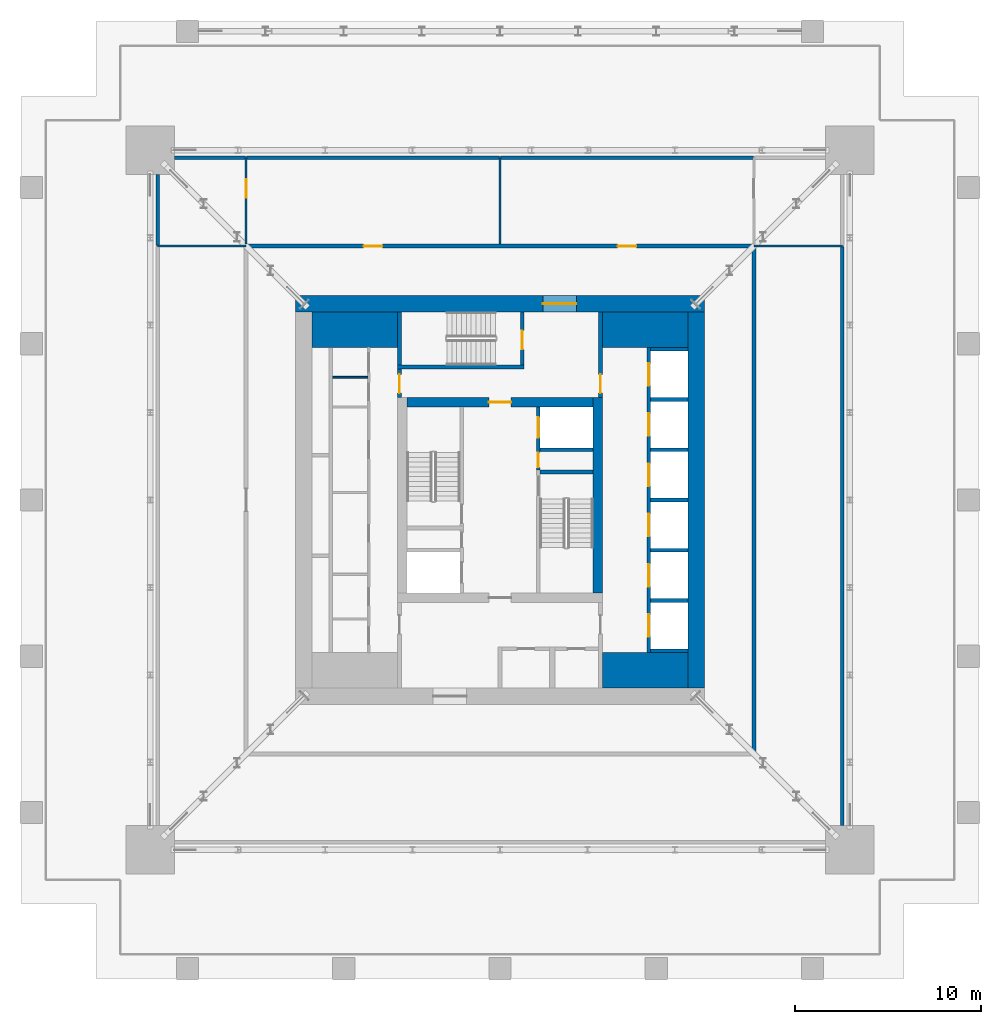
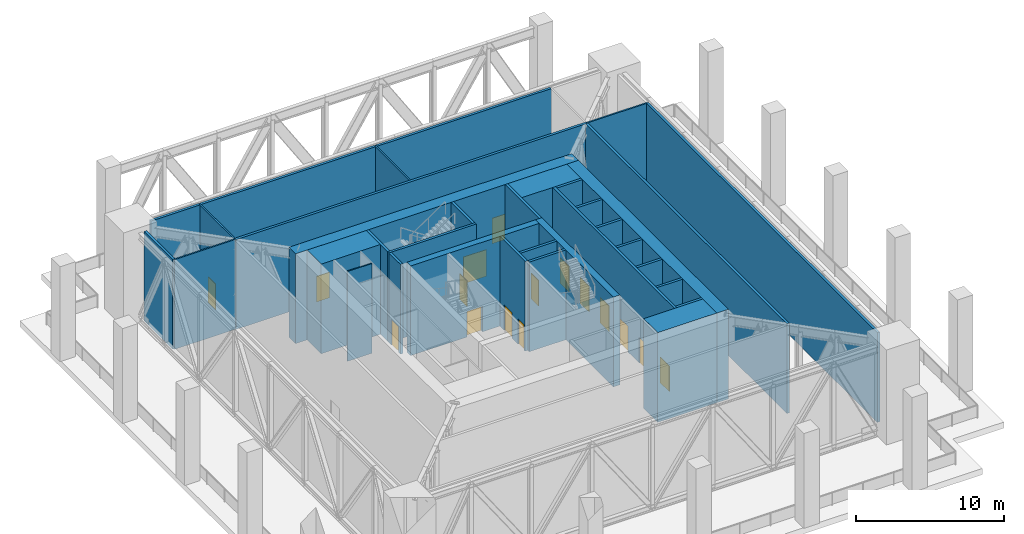
# One storey, part 11 of 17: 35 walls, 16 doors, 16 openings.
"""IFC4 building model written with IfcOpenShell, lengths in metres."""

from ifc_helpers import new_model, si_unit, direction, frame, frame_2d, origin, place, context, subcontext, project, spatial, rectangle, extrude, material, layer, layer_set, type_object, element, fill, save


model = new_model("IFC4")

# Units and contexts
model_context = context("Model", 3, precision=1e-05, world=origin(), true_north=direction((0.0, 1.0)))
body_context = subcontext(model_context, "Body", "Model", "MODEL_VIEW")
ifc_project = project(units=[si_unit("LENGTHUNIT", "METRE"), si_unit("AREAUNIT", "SQUARE_METRE"), si_unit("VOLUMEUNIT", "CUBIC_METRE"), si_unit("PLANEANGLEUNIT", "RADIAN"), si_unit("MASSUNIT", "GRAM", prefix="KILO")], contexts=[model_context])

# Site, building, storey
site_placement = place(None, origin())
site = spatial("IfcSite", under=ifc_project, at=site_placement, CompositionType="ELEMENT")
building_placement = place(site_placement, origin())
building = spatial("IfcBuilding", under=site, at=building_placement, Name="Khepri Terraces", CompositionType="ELEMENT")
storey_placement = place(building_placement, frame((0.0, 0.0, 180.60009765625)))
storey = spatial("IfcBuildingStorey", under=building, at=storey_placement, Name="L43", CompositionType="ELEMENT", Elevation=180.60009765625)

# Walls
ifc_material_1 = material(Name="Concrete C60/75", Category="concrete")
ifc_layer_1 = layer(ifc_material_1, 1.89990234375, Name="Concrete C60/75", Category="concrete")
ifc_layer_set_1 = layer_set([ifc_layer_1], Name="Concrete C60/75")
wall_type_1 = type_object("IfcWallType", Name="Core wall 1900 C60/75", PredefinedType="SHEAR", material=ifc_layer_set_1)
for number, where, z_axis, x_axis, name in (
    (1, (5.5, -9.14990234375, 0.0), (0.0, 0.0, 1.0), (1.0, 0.0, 0.0), "Core wall PR02 L43"),
    (2, (-10.10009765625, 9.14990234375, 0.0), (0.0, 0.0, 1.0), (1.0, 0.0, 0.0), "Core wall PR03 L43"),
    (3, (5.5, 9.14990234375, 0.0), (0.0, 0.0, 1.0), (1.0, 0.0, 0.0), "Core wall PR04 L43"),
):
    element("IfcWall", number, at=place(storey_placement, frame(where, z_axis=z_axis, x_axis=x_axis)), inside=storey, type_object=wall_type_1, Name=name, PredefinedType="SHEAR", context=body_context, shape_type="SweptSolid", body=[
        extrude(rectangle(XDim=4.60009765625, YDim=1.89990234375, at=frame_2d((2.300048828125, 0.0))), origin(), (0.0, 0.0, 1.0), 7.3798828125),
    ])
ifc_layer_2 = layer(ifc_material_1, 0.199951171875, Name="Concrete C60/75", Category="concrete")
ifc_layer_set_2 = layer_set([ifc_layer_2], Name="Concrete C60/75")
wall_type_2 = type_object("IfcWallType", Name="Core wall 200 C60/75", PredefinedType="SHEAR", material=ifc_layer_set_2)
wall_1_placement = place(storey_placement, frame((2.14990234375, 1.5, 0.0), z_axis=(0.0, 0.0, 1.0), x_axis=(1.0, 0.0, 0.0)))
element("IfcWall", 4, at=wall_1_placement, inside=storey, type_object=wall_type_2, Name="Core wall ST04 L43", PredefinedType="SHEAR", context=body_context, shape_type="SweptSolid", body=[
    extrude(rectangle(XDim=2.85009765625, YDim=0.199951171875, at=frame_2d((1.425048828125, 0.0))), origin(), (0.0, 0.0, 1.0), 7.3798828125),
])
wall_2_placement = place(storey_placement, frame((-5.5, 7.14990234375, 0.0), z_axis=(0.0, 0.0, 1.0), x_axis=(1.0, 0.0, 0.0)))
element("IfcWall", 5, at=wall_2_placement, inside=storey, type_object=wall_type_2, Name="Core wall ST05 L43", PredefinedType="SHEAR", context=body_context, shape_type="SweptSolid", body=[
    extrude(rectangle(XDim=6.800048828125, YDim=0.199951171875, at=frame_2d((3.39990234375, 0.0))), origin(), (0.0, 0.0, 1.0), 7.3798828125),
])
wall_3_placement = place(storey_placement, frame((-5.39990234375, 7.25, 0.0), z_axis=(0.0, 0.0, 1.0), x_axis=(0.0, 1.0, 0.0)))
element("IfcWall", 6, at=wall_3_placement, inside=storey, type_object=wall_type_2, Name="Core wall ST06 L43", PredefinedType="SHEAR", context=body_context, shape_type="SweptSolid", body=[
    extrude(rectangle(XDim=2.85009765625, YDim=0.199951171875, at=frame_2d((1.425048828125, 0.0))), origin(), (0.0, 0.0, 1.0), 7.3798828125),
])

# Wall, opening, door
wall_4_placement = place(storey_placement, frame((1.199951171875, 7.25, 0.0), z_axis=(0.0, 0.0, 1.0), x_axis=(0.0, 1.0, 0.0)))
wall_4 = element("IfcWall", 7, at=wall_4_placement, inside=storey, type_object=wall_type_2, Name="Core wall ST07 L43", PredefinedType="SHEAR", context=body_context, shape_type="SweptSolid", body=[
    extrude(rectangle(XDim=2.85009765625, YDim=0.199951171875, at=frame_2d((1.425048828125, 0.0))), origin(), (0.0, 0.0, 1.0), 7.3798828125),
])
opening_1_placement = place(wall_4_placement, frame((0.85009765625, 0.0, 0.0)))
opening_1 = element("IfcOpeningElement", 8, at=opening_1_placement, cuts=wall_4, Name="Opening L43-C15", PredefinedType="OPENING", context=body_context, shape_type="SweptSolid", body=[
    extrude(rectangle(XDim=1.0, YDim=2.10009765625, at=frame_2d((0.5, 1.050048828125))), frame((0.0, 0.10986328125, 0.0), z_axis=(0.0, -1.0, 0.0), x_axis=(1.0, 0.0, 0.0)), (0.0, 0.0, 1.0), 0.219970703125),
])
ifc_material_2 = material(Name="Painted steel", Category="steel")
door_type_1 = type_object("IfcDoorType", Name="DR-CORE-STAIR-1000", OperationType="NOTDEFINED", PredefinedType="DOOR", material=ifc_material_2)
door_1_placement = place(opening_1_placement, origin())
door_1 = element("IfcDoor", 9, at=door_1_placement, inside=storey, type_object=door_type_1, Name="Stair door L43-C15", OperationType="SINGLE_SWING_LEFT", OverallHeight=2.10009765625, OverallWidth=1.0, PredefinedType="DOOR", context=body_context, shape_type="SweptSolid", body=[
    extrude(rectangle(XDim=1.0, YDim=2.10009765625, at=frame_2d((0.5, 1.050048828125))), frame((0.0, 0.02490234375, 0.0), z_axis=(0.0, -1.0, 0.0), x_axis=(1.0, 0.0, 0.0)), (0.0, 0.0, 1.0), 0.050048828125),
])
fill(opening_1, door_1)

# Wall, openings, doors
wall_5_placement = place(storey_placement, frame((8.0, -8.199951171875, 0.0), z_axis=(0.0, 0.0, 1.0), x_axis=(0.0, 1.0, 0.0)))
wall_5 = element("IfcWall", 10, at=wall_5_placement, inside=storey, type_object=wall_type_2, Name="Core wall SH02 L43", PredefinedType="SHEAR", context=body_context, shape_type="SweptSolid", body=[
    extrude(rectangle(XDim=16.39990234375, YDim=0.199951171875, at=frame_2d((8.199951171875, 0.0))), origin(), (0.0, 0.0, 1.0), 7.3798828125),
])
opening_2_placement = place(wall_5_placement, frame((0.85009765625, 0.0, 0.0)))
opening_2 = element("IfcOpeningElement", 11, at=opening_2_placement, cuts=wall_5, Name="Opening L43-C01", PredefinedType="OPENING", context=body_context, shape_type="SweptSolid", body=[
    extrude(rectangle(XDim=1.199951171875, YDim=2.10009765625, at=frame_2d((0.60009765625, 1.050048828125))), frame((0.0, 0.10986328125, 0.0), z_axis=(0.0, -1.0, 0.0), x_axis=(1.0, 0.0, 0.0)), (0.0, 0.0, 1.0), 0.219970703125),
])
opening_3_placement = place(wall_5_placement, frame((3.550048828125, 0.0, 0.0)))
opening_3 = element("IfcOpeningElement", 12, at=opening_3_placement, cuts=wall_5, Name="Opening L43-C02", PredefinedType="OPENING", context=body_context, shape_type="SweptSolid", body=[
    extrude(rectangle(XDim=1.199951171875, YDim=2.10009765625, at=frame_2d((0.60009765625, 1.050048828125))), frame((0.0, 0.10986328125, 0.0), z_axis=(0.0, -1.0, 0.0), x_axis=(1.0, 0.0, 0.0)), (0.0, 0.0, 1.0), 0.219970703125),
])
opening_4_placement = place(wall_5_placement, frame((6.25, 0.0, 0.0)))
opening_4 = element("IfcOpeningElement", 13, at=opening_4_placement, cuts=wall_5, Name="Opening L43-C03", PredefinedType="OPENING", context=body_context, shape_type="SweptSolid", body=[
    extrude(rectangle(XDim=1.199951171875, YDim=2.10009765625, at=frame_2d((0.60009765625, 1.050048828125))), frame((0.0, 0.10986328125, 0.0), z_axis=(0.0, -1.0, 0.0), x_axis=(1.0, 0.0, 0.0)), (0.0, 0.0, 1.0), 0.219970703125),
])
opening_5_placement = place(wall_5_placement, frame((8.949951171875, 0.0, 0.0)))
opening_5 = element("IfcOpeningElement", 14, at=opening_5_placement, cuts=wall_5, Name="Opening L43-C04", PredefinedType="OPENING", context=body_context, shape_type="SweptSolid", body=[
    extrude(rectangle(XDim=1.199951171875, YDim=2.10009765625, at=frame_2d((0.60009765625, 1.050048828125))), frame((0.0, 0.10986328125, 0.0), z_axis=(0.0, -1.0, 0.0), x_axis=(1.0, 0.0, 0.0)), (0.0, 0.0, 1.0), 0.219970703125),
])
opening_6_placement = place(wall_5_placement, frame((11.64990234375, 0.0, 0.0)))
opening_6 = element("IfcOpeningElement", 15, at=opening_6_placement, cuts=wall_5, Name="Opening L43-C05", PredefinedType="OPENING", context=body_context, shape_type="SweptSolid", body=[
    extrude(rectangle(XDim=1.199951171875, YDim=2.10009765625, at=frame_2d((0.60009765625, 1.050048828125))), frame((0.0, 0.10986328125, 0.0), z_axis=(0.0, -1.0, 0.0), x_axis=(1.0, 0.0, 0.0)), (0.0, 0.0, 1.0), 0.219970703125),
])
opening_7_placement = place(wall_5_placement, frame((14.35009765625, 0.0, 0.0)))
opening_7 = element("IfcOpeningElement", 16, at=opening_7_placement, cuts=wall_5, Name="Opening L43-C06", PredefinedType="OPENING", context=body_context, shape_type="SweptSolid", body=[
    extrude(rectangle(XDim=1.199951171875, YDim=2.10009765625, at=frame_2d((0.60009765625, 1.050048828125))), frame((0.0, 0.10986328125, 0.0), z_axis=(0.0, -1.0, 0.0), x_axis=(1.0, 0.0, 0.0)), (0.0, 0.0, 1.0), 0.219970703125),
])
ifc_material_3 = material(Name="Stainless steel 304", Category="steel")
door_type_2 = type_object("IfcDoorType", Name="DR-CORE-LANDING-1200", OperationType="NOTDEFINED", PredefinedType="DOOR", material=ifc_material_3)
door_2_placement = place(opening_2_placement, origin())
door_2 = element("IfcDoor", 17, at=door_2_placement, inside=storey, type_object=door_type_2, Name="Lift landing door L43-C01", OperationType="SLIDING_TO_LEFT", OverallHeight=2.10009765625, OverallWidth=1.199951171875, PredefinedType="DOOR", context=body_context, shape_type="SweptSolid", body=[
    extrude(rectangle(XDim=1.199951171875, YDim=2.10009765625, at=frame_2d((0.60009765625, 1.050048828125))), frame((0.0, 0.02490234375, 0.0), z_axis=(0.0, -1.0, 0.0), x_axis=(1.0, 0.0, 0.0)), (0.0, 0.0, 1.0), 0.050048828125),
])
fill(opening_2, door_2)
door_3_placement = place(opening_3_placement, origin())
door_3 = element("IfcDoor", 18, at=door_3_placement, inside=storey, type_object=door_type_2, Name="Lift landing door L43-C02", OperationType="SLIDING_TO_LEFT", OverallHeight=2.10009765625, OverallWidth=1.199951171875, PredefinedType="DOOR", context=body_context, shape_type="SweptSolid", body=[
    extrude(rectangle(XDim=1.199951171875, YDim=2.10009765625, at=frame_2d((0.60009765625, 1.050048828125))), frame((0.0, 0.02490234375, 0.0), z_axis=(0.0, -1.0, 0.0), x_axis=(1.0, 0.0, 0.0)), (0.0, 0.0, 1.0), 0.050048828125),
])
fill(opening_3, door_3)
door_4_placement = place(opening_4_placement, origin())
door_4 = element("IfcDoor", 19, at=door_4_placement, inside=storey, type_object=door_type_2, Name="Lift landing door L43-C03", OperationType="SLIDING_TO_LEFT", OverallHeight=2.10009765625, OverallWidth=1.199951171875, PredefinedType="DOOR", context=body_context, shape_type="SweptSolid", body=[
    extrude(rectangle(XDim=1.199951171875, YDim=2.10009765625, at=frame_2d((0.60009765625, 1.050048828125))), frame((0.0, 0.02490234375, 0.0), z_axis=(0.0, -1.0, 0.0), x_axis=(1.0, 0.0, 0.0)), (0.0, 0.0, 1.0), 0.050048828125),
])
fill(opening_4, door_4)
door_5_placement = place(opening_5_placement, origin())
door_5 = element("IfcDoor", 20, at=door_5_placement, inside=storey, type_object=door_type_2, Name="Lift landing door L43-C04", OperationType="SLIDING_TO_LEFT", OverallHeight=2.10009765625, OverallWidth=1.199951171875, PredefinedType="DOOR", context=body_context, shape_type="SweptSolid", body=[
    extrude(rectangle(XDim=1.199951171875, YDim=2.10009765625, at=frame_2d((0.60009765625, 1.050048828125))), frame((0.0, 0.02490234375, 0.0), z_axis=(0.0, -1.0, 0.0), x_axis=(1.0, 0.0, 0.0)), (0.0, 0.0, 1.0), 0.050048828125),
])
fill(opening_5, door_5)
door_6_placement = place(opening_6_placement, origin())
door_6 = element("IfcDoor", 21, at=door_6_placement, inside=storey, type_object=door_type_2, Name="Lift landing door L43-C05", OperationType="SLIDING_TO_LEFT", OverallHeight=2.10009765625, OverallWidth=1.199951171875, PredefinedType="DOOR", context=body_context, shape_type="SweptSolid", body=[
    extrude(rectangle(XDim=1.199951171875, YDim=2.10009765625, at=frame_2d((0.60009765625, 1.050048828125))), frame((0.0, 0.02490234375, 0.0), z_axis=(0.0, -1.0, 0.0), x_axis=(1.0, 0.0, 0.0)), (0.0, 0.0, 1.0), 0.050048828125),
])
fill(opening_6, door_6)
door_7_placement = place(opening_7_placement, origin())
door_7 = element("IfcDoor", 22, at=door_7_placement, inside=storey, type_object=door_type_2, Name="Lift landing door L43-C06", OperationType="SLIDING_TO_LEFT", OverallHeight=2.10009765625, OverallWidth=1.199951171875, PredefinedType="DOOR", context=body_context, shape_type="SweptSolid", body=[
    extrude(rectangle(XDim=1.199951171875, YDim=2.10009765625, at=frame_2d((0.60009765625, 1.050048828125))), frame((0.0, 0.02490234375, 0.0), z_axis=(0.0, -1.0, 0.0), x_axis=(1.0, 0.0, 0.0)), (0.0, 0.0, 1.0), 0.050048828125),
])
fill(opening_7, door_7)

# Walls
for number, where, z_axis, x_axis, name in (
    (23, (8.10009765625, -8.10009765625, 0.0), (0.0, 0.0, 1.0), (1.0, 0.0, 0.0), "Core wall SH03 L43"),
    (24, (8.10009765625, -5.39990234375, 0.0), (0.0, 0.0, 1.0), (1.0, 0.0, 0.0), "Core wall SH04 L43"),
    (25, (8.10009765625, -2.699951171875, 0.0), (0.0, 0.0, 1.0), (1.0, 0.0, 0.0), "Core wall SH08 L43"),
    (26, (8.10009765625, 0.0, 0.0), (0.0, 0.0, 1.0), (1.0, 0.0, 0.0), "Core wall SH09 L43"),
):
    element("IfcWall", number, at=place(storey_placement, frame(where, z_axis=z_axis, x_axis=x_axis)), inside=storey, type_object=wall_type_2, Name=name, PredefinedType="SHEAR", context=body_context, shape_type="SweptSolid", body=[
        extrude(rectangle(XDim=2.0, YDim=0.199951171875, at=frame_2d((1.0, 0.0))), origin(), (0.0, 0.0, 1.0), 7.3798828125),
    ])

# Wall, openings, doors
wall_6_placement = place(storey_placement, frame((2.050048828125, 1.60009765625, 0.0), z_axis=(0.0, 0.0, 1.0), x_axis=(0.0, 1.0, 0.0)))
wall_6 = element("IfcWall", 27, at=wall_6_placement, inside=storey, type_object=wall_type_2, Name="Core wall SH10 L43", PredefinedType="SHEAR", context=body_context, shape_type="SweptSolid", body=[
    extrude(rectangle(XDim=3.39990234375, YDim=0.199951171875, at=frame_2d((1.699951171875, 0.0))), origin(), (0.0, 0.0, 1.0), 7.3798828125),
])
opening_8_placement = place(wall_6_placement, frame((1.75, 0.0, 0.0)))
opening_8 = element("IfcOpeningElement", 28, at=opening_8_placement, cuts=wall_6, Name="Opening L43-C07", PredefinedType="OPENING", context=body_context, shape_type="SweptSolid", body=[
    extrude(rectangle(XDim=1.10009765625, YDim=2.10009765625, at=frame_2d((0.550048828125, 1.050048828125))), frame((0.0, 0.10986328125, 0.0), z_axis=(0.0, -1.0, 0.0), x_axis=(1.0, 0.0, 0.0)), (0.0, 0.0, 1.0), 0.219970703125),
])
opening_9_placement = place(wall_6_placement, frame((0.14990234375, 0.0, 0.0)))
opening_9 = element("IfcOpeningElement", 29, at=opening_9_placement, cuts=wall_6, Name="Opening L43-C11", PredefinedType="OPENING", context=body_context, shape_type="SweptSolid", body=[
    extrude(rectangle(XDim=0.800048828125, YDim=2.10009765625, at=frame_2d((0.39990234375, 1.050048828125))), frame((0.0, 0.10986328125, 0.0), z_axis=(0.0, -1.0, 0.0), x_axis=(1.0, 0.0, 0.0)), (0.0, 0.0, 1.0), 0.219970703125),
])
door_type_3 = type_object("IfcDoorType", Name="DR-CORE-FF-LANDING-1100", OperationType="NOTDEFINED", PredefinedType="DOOR", material=ifc_material_3)
door_8_placement = place(opening_8_placement, origin())
door_8 = element("IfcDoor", 30, at=door_8_placement, inside=storey, type_object=door_type_3, Name="Firefighting lift landing door L43-C07", OperationType="SLIDING_TO_LEFT", OverallHeight=2.10009765625, OverallWidth=1.10009765625, PredefinedType="DOOR", context=body_context, shape_type="SweptSolid", body=[
    extrude(rectangle(XDim=1.10009765625, YDim=2.10009765625, at=frame_2d((0.550048828125, 1.050048828125))), frame((0.0, 0.02490234375, 0.0), z_axis=(0.0, -1.0, 0.0), x_axis=(1.0, 0.0, 0.0)), (0.0, 0.0, 1.0), 0.050048828125),
])
fill(opening_8, door_8)
door_type_4 = type_object("IfcDoorType", Name="DR-CORE-RISER-800", OperationType="NOTDEFINED", PredefinedType="DOOR", material=ifc_material_2)
door_9_placement = place(opening_9_placement, frame((0.800048828125, 0.0, 0.0), z_axis=(0.0, 0.0, 1.0), x_axis=(-1.0, 0.0, 0.0)))
door_9 = element("IfcDoor", 31, at=door_9_placement, inside=storey, type_object=door_type_4, Name="Riser door L43-C11", OperationType="SINGLE_SWING_RIGHT", OverallHeight=2.10009765625, OverallWidth=0.800048828125, PredefinedType="DOOR", context=body_context, shape_type="SweptSolid", body=[
    extrude(rectangle(XDim=0.800048828125, YDim=2.10009765625, at=frame_2d((0.39990234375, 1.050048828125))), frame((0.0, 0.02490234375, 0.0), z_axis=(0.0, -1.0, 0.0), x_axis=(1.0, 0.0, 0.0)), (0.0, 0.0, 1.0), 0.050048828125),
])
fill(opening_9, door_9)

# Walls
wall_7_placement = place(storey_placement, frame((2.14990234375, 2.699951171875, 0.0), z_axis=(0.0, 0.0, 1.0), x_axis=(1.0, 0.0, 0.0)))
element("IfcWall", 32, at=wall_7_placement, inside=storey, type_object=wall_type_2, Name="Core wall SH12 L43", PredefinedType="SHEAR", context=body_context, shape_type="SweptSolid", body=[
    extrude(rectangle(XDim=2.85009765625, YDim=0.199951171875, at=frame_2d((1.425048828125, 0.0))), origin(), (0.0, 0.0, 1.0), 7.3798828125),
])
for number, where, z_axis, x_axis, name in (
    (33, (8.10009765625, 2.699951171875, 0.0), (0.0, 0.0, 1.0), (1.0, 0.0, 0.0), "Core wall SH13 L43"),
    (34, (8.10009765625, 5.39990234375, 0.0), (0.0, 0.0, 1.0), (1.0, 0.0, 0.0), "Core wall SH14 L43"),
    (35, (8.10009765625, 8.10009765625, 0.0), (0.0, 0.0, 1.0), (1.0, 0.0, 0.0), "Core wall SH15 L43"),
):
    element("IfcWall", number, at=place(storey_placement, frame(where, z_axis=z_axis, x_axis=x_axis)), inside=storey, type_object=wall_type_2, Name=name, PredefinedType="SHEAR", context=body_context, shape_type="SweptSolid", body=[
        extrude(rectangle(XDim=2.0, YDim=0.199951171875, at=frame_2d((1.0, 0.0))), origin(), (0.0, 0.0, 1.0), 7.3798828125),
    ])
ifc_layer_3 = layer(ifc_material_1, 0.5, Name="Concrete C60/75", Category="concrete")
ifc_layer_set_3 = layer_set([ifc_layer_3], Name="Concrete C60/75")
wall_type_3 = type_object("IfcWallType", Name="Core wall 500 C60/75", PredefinedType="SHEAR", material=ifc_layer_set_3)
wall_8_placement = place(storey_placement, frame((5.25, -5.0, 0.0), z_axis=(0.0, 0.0, 1.0), x_axis=(0.0, 1.0, 0.0)))
element("IfcWall", 36, at=wall_8_placement, inside=storey, type_object=wall_type_3, Name="Core wall BX03 L43", PredefinedType="SHEAR", context=body_context, shape_type="SweptSolid", body=[
    extrude(rectangle(XDim=10.5, YDim=0.5, at=frame_2d((5.25, 0.0))), origin(), (0.0, 0.0, 1.0), 7.3798828125),
])

# Wall, opening, door
wall_9_placement = place(storey_placement, frame((-5.0, 5.25, 0.0), z_axis=(0.0, 0.0, 1.0), x_axis=(1.0, 0.0, 0.0)))
wall_9 = element("IfcWall", 37, at=wall_9_placement, inside=storey, type_object=wall_type_3, Name="Core wall BX04 L43", PredefinedType="SHEAR", context=body_context, shape_type="SweptSolid", body=[
    extrude(rectangle(XDim=10.0, YDim=0.5, at=frame_2d((5.0, 0.0))), origin(), (0.0, 0.0, 1.0), 7.3798828125),
])
opening_10_placement = place(wall_9_placement, frame((4.39990234375, 0.0, 0.0)))
opening_10 = element("IfcOpeningElement", 38, at=opening_10_placement, cuts=wall_9, Name="Opening L43-C13", PredefinedType="OPENING", context=body_context, shape_type="SweptSolid", body=[
    extrude(rectangle(XDim=1.199951171875, YDim=2.10009765625, at=frame_2d((0.60009765625, 1.050048828125))), frame((0.0, 0.260009765625, 0.0), z_axis=(0.0, -1.0, 0.0), x_axis=(1.0, 0.0, 0.0)), (0.0, 0.0, 1.0), 0.52001953125),
])
door_type_5 = type_object("IfcDoorType", Name="DR-CORE-FF-LOBBY-1200", OperationType="NOTDEFINED", PredefinedType="DOOR", material=ifc_material_2)
door_10_placement = place(opening_10_placement, frame((1.199951171875, 0.0, 0.0), z_axis=(0.0, 0.0, 1.0), x_axis=(-1.0, 0.0, 0.0)))
door_10 = element("IfcDoor", 39, at=door_10_placement, inside=storey, type_object=door_type_5, Name="Firefighting lobby door L43-C13", OperationType="SINGLE_SWING_LEFT", OverallHeight=2.10009765625, OverallWidth=1.199951171875, PredefinedType="DOOR", context=body_context, shape_type="SweptSolid", body=[
    extrude(rectangle(XDim=1.199951171875, YDim=2.10009765625, at=frame_2d((0.60009765625, 1.050048828125))), frame((0.0, 0.02490234375, 0.0), z_axis=(0.0, -1.0, 0.0), x_axis=(1.0, 0.0, 0.0)), (0.0, 0.0, 1.0), 0.050048828125),
])
fill(opening_10, door_10)

ifc_layer_4 = layer(ifc_material_1, 0.89990234375, Name="Concrete C60/75", Category="concrete")
ifc_layer_set_4 = layer_set([ifc_layer_4], Name="Concrete C60/75")
wall_type_4 = type_object("IfcWallType", Name="Core wall 900 C60/75", PredefinedType="SHEAR", material=ifc_layer_set_4)
wall_10_placement = place(storey_placement, frame((-11.0, 10.550048828125, 0.0), z_axis=(0.0, 0.0, 1.0), x_axis=(1.0, 0.0, 0.0)))
wall_10 = element("IfcWall", 40, at=wall_10_placement, inside=storey, type_object=wall_type_4, Name="Core wall OW-N L43", PredefinedType="SHEAR", context=body_context, shape_type="SweptSolid", body=[
    extrude(rectangle(XDim=22.0, YDim=0.89990234375, at=frame_2d((11.0, 0.0))), origin(), (0.0, 0.0, 1.0), 7.3798828125),
])
opening_11_placement = place(wall_10_placement, frame((13.300048828125, 0.0, 0.0)))
opening_11 = element("IfcOpeningElement", 41, at=opening_11_placement, cuts=wall_10, Name="Opening L43-C20", PredefinedType="OPENING", context=body_context, shape_type="SweptSolid", body=[
    extrude(rectangle(XDim=1.800048828125, YDim=2.199951171875, at=frame_2d((0.89990234375, 1.10009765625))), frame((0.0, 0.4599609375, 0.0), z_axis=(0.0, -1.0, 0.0), x_axis=(1.0, 0.0, 0.0)), (0.0, 0.0, 1.0), 0.919921875),
])
door_type_6 = type_object("IfcDoorType", Name="DR-CORE-ENTRANCE-1800", OperationType="NOTDEFINED", PredefinedType="DOOR", material=ifc_material_2)
door_11_placement = place(opening_11_placement, origin())
door_11 = element("IfcDoor", 42, at=door_11_placement, inside=storey, type_object=door_type_6, Name="Core entrance door pair L43-C20", OperationType="DOUBLE_DOOR_SINGLE_SWING", OverallHeight=2.199951171875, OverallWidth=1.800048828125, PredefinedType="DOOR", context=body_context, shape_type="SweptSolid", body=[
    extrude(rectangle(XDim=1.800048828125, YDim=2.199951171875, at=frame_2d((0.89990234375, 1.10009765625))), frame((0.0, 0.02490234375, 0.0), z_axis=(0.0, -1.0, 0.0), x_axis=(1.0, 0.0, 0.0)), (0.0, 0.0, 1.0), 0.050048828125),
])
fill(opening_11, door_11)

# Walls
wall_11_placement = place(storey_placement, frame((10.550048828125, -10.10009765625, 0.0), z_axis=(0.0, 0.0, 1.0), x_axis=(0.0, 1.0, 0.0)))
element("IfcWall", 43, at=wall_11_placement, inside=storey, type_object=wall_type_4, Name="Core wall OW-E L43", PredefinedType="SHEAR", context=body_context, shape_type="SweptSolid", body=[
    extrude(rectangle(XDim=20.2001953125, YDim=0.89990234375, at=frame_2d((10.10009765625, 0.0))), origin(), (0.0, 0.0, 1.0), 7.3798828125),
])
ifc_material_4 = material(Name="Fire-rated gypsum board partition")
ifc_layer_5 = layer(ifc_material_4, 0.10009765625, Name="Fire-rated gypsum board partition")
ifc_layer_set_5 = layer_set([ifc_layer_5], Name="Fire-rated gypsum board partition")
wall_type_5 = type_object("IfcWallType", Name="WL-CORE-PART-100", PredefinedType="PARTITIONING", material=ifc_layer_set_5)
wall_12_placement = place(storey_placement, frame((-9.0, 6.60009765625, 0.0), z_axis=(0.0, 0.0, 1.0), x_axis=(1.0, 0.0, 0.0)))
element("IfcWall", 44, at=wall_12_placement, inside=storey, type_object=wall_type_5, Name="Core partition PT14 L43", PredefinedType="PARTITIONING", context=body_context, shape_type="SweptSolid", body=[
    extrude(rectangle(XDim=1.89990234375, YDim=0.10009765625, at=frame_2d((0.949951171875, 0.0))), origin(), (0.0, 0.0, 1.0), 7.3798828125),
])

# Wall, opening, door
ifc_layer_6 = layer(ifc_material_4, 0.199951171875, Name="Fire-rated gypsum board partition")
ifc_layer_set_6 = layer_set([ifc_layer_6], Name="Fire-rated gypsum board partition")
wall_type_6 = type_object("IfcWallType", Name="WL-CORE-PART-200", PredefinedType="PARTITIONING", material=ifc_layer_set_6)
wall_13_placement = place(storey_placement, frame((-5.39990234375, 5.5, 0.0), z_axis=(0.0, 0.0, 1.0), x_axis=(0.0, 1.0, 0.0)))
wall_13 = element("IfcWall", 45, at=wall_13_placement, inside=storey, type_object=wall_type_6, Name="Core partition PT12 L43", PredefinedType="PARTITIONING", context=body_context, shape_type="SweptSolid", body=[
    extrude(rectangle(XDim=1.550048828125, YDim=0.199951171875, at=frame_2d((0.77490234375, 0.0))), origin(), (0.0, 0.0, 1.0), 7.3798828125),
])
opening_12_placement = place(wall_13_placement, frame((0.25, 0.0, 0.0)))
opening_12 = element("IfcOpeningElement", 46, at=opening_12_placement, cuts=wall_13, Name="Opening L43-C16", PredefinedType="OPENING", context=body_context, shape_type="SweptSolid", body=[
    extrude(rectangle(XDim=1.0, YDim=2.10009765625, at=frame_2d((0.5, 1.050048828125))), frame((0.0, 0.10986328125, 0.0), z_axis=(0.0, -1.0, 0.0), x_axis=(1.0, 0.0, 0.0)), (0.0, 0.0, 1.0), 0.219970703125),
])
door_type_7 = type_object("IfcDoorType", Name="DR-CORE-LOBBY-1000", OperationType="NOTDEFINED", PredefinedType="DOOR", material=ifc_material_2)
door_12_placement = place(opening_12_placement, frame((1.0, 0.0, 0.0), z_axis=(0.0, 0.0, 1.0), x_axis=(-1.0, 0.0, 0.0)))
door_12 = element("IfcDoor", 47, at=door_12_placement, inside=storey, type_object=door_type_7, Name="Lobby door L43-C16", OperationType="SINGLE_SWING_RIGHT", OverallHeight=2.10009765625, OverallWidth=1.0, PredefinedType="DOOR", context=body_context, shape_type="SweptSolid", body=[
    extrude(rectangle(XDim=1.0, YDim=2.10009765625, at=frame_2d((0.5, 1.050048828125))), frame((0.0, 0.02490234375, 0.0), z_axis=(0.0, -1.0, 0.0), x_axis=(1.0, 0.0, 0.0)), (0.0, 0.0, 1.0), 0.050048828125),
])
fill(opening_12, door_12)

wall_14_placement = place(storey_placement, frame((5.39990234375, 5.5, 0.0), z_axis=(0.0, 0.0, 1.0), x_axis=(0.0, 1.0, 0.0)))
wall_14 = element("IfcWall", 48, at=wall_14_placement, inside=storey, type_object=wall_type_6, Name="Core partition PT13 L43", PredefinedType="PARTITIONING", context=body_context, shape_type="SweptSolid", body=[
    extrude(rectangle(XDim=4.60009765625, YDim=0.199951171875, at=frame_2d((2.300048828125, 0.0))), origin(), (0.0, 0.0, 1.0), 7.3798828125),
])
opening_13_placement = place(wall_14_placement, frame((0.25, 0.0, 0.0)))
opening_13 = element("IfcOpeningElement", 49, at=opening_13_placement, cuts=wall_14, Name="Opening L43-C17", PredefinedType="OPENING", context=body_context, shape_type="SweptSolid", body=[
    extrude(rectangle(XDim=1.0, YDim=2.10009765625, at=frame_2d((0.5, 1.050048828125))), frame((0.0, 0.10986328125, 0.0), z_axis=(0.0, -1.0, 0.0), x_axis=(1.0, 0.0, 0.0)), (0.0, 0.0, 1.0), 0.219970703125),
])
door_13_placement = place(opening_13_placement, origin())
door_13 = element("IfcDoor", 50, at=door_13_placement, inside=storey, type_object=door_type_7, Name="Lobby door L43-C17", OperationType="SINGLE_SWING_LEFT", OverallHeight=2.10009765625, OverallWidth=1.0, PredefinedType="DOOR", context=body_context, shape_type="SweptSolid", body=[
    extrude(rectangle(XDim=1.0, YDim=2.10009765625, at=frame_2d((0.5, 1.050048828125))), frame((0.0, 0.02490234375, 0.0), z_axis=(0.0, -1.0, 0.0), x_axis=(1.0, 0.0, 0.0)), (0.0, 0.0, 1.0), 0.050048828125),
])
fill(opening_13, door_13)

# Walls
ifc_material_5 = material(Name="Fire-rated gypsum plasterboard partition, mineral wool")
ifc_layer_7 = layer(ifc_material_5, 0.199951171875, Name="Fire-rated gypsum plasterboard partition, mineral wool")
ifc_layer_set_7 = layer_set([ifc_layer_7], Name="Fire-rated gypsum plasterboard partition, mineral wool")
wall_type_7 = type_object("IfcWallType", Name="WL-CORR-200", PredefinedType="PARTITIONING", material=ifc_layer_set_7)
wall_15_placement = place(storey_placement, frame((18.39990234375, -17.5, 0.0), z_axis=(0.0, 0.0, 1.0), x_axis=(0.0, 1.0, 0.0)))
element("IfcWall", 51, at=wall_15_placement, inside=storey, type_object=wall_type_7, Name="Partition P-003 L43", PredefinedType="PARTITIONING", context=body_context, shape_type="SweptSolid", body=[
    extrude(rectangle(XDim=31.1298828125, YDim=0.199951171875, at=frame_2d((15.56494140625, 0.0))), origin(), (0.0, 0.0, 1.0), 7.3798828125),
])
wall_16_placement = place(storey_placement, frame((13.64990234375, -13.550048828125, 0.0), z_axis=(0.0, 0.0, 1.0), x_axis=(0.0, 1.0, 0.0)))
element("IfcWall", 52, at=wall_16_placement, inside=storey, type_object=wall_type_7, Name="Partition P-006 L43", PredefinedType="PARTITIONING", context=body_context, shape_type="SweptSolid", body=[
    extrude(rectangle(XDim=27.10009765625, YDim=0.199951171875, at=frame_2d((13.550048828125, 0.0))), origin(), (0.0, 0.0, 1.0), 7.3798828125),
])

# Wall, openings, doors
wall_17_placement = place(storey_placement, frame((-13.64990234375, 13.64990234375, 0.0), z_axis=(0.0, 0.0, 1.0), x_axis=(1.0, 0.0, 0.0)))
wall_17 = element("IfcWall", 53, at=wall_17_placement, inside=storey, type_object=wall_type_7, Name="Partition P-008 L43", PredefinedType="PARTITIONING", context=body_context, shape_type="SweptSolid", body=[
    extrude(rectangle(XDim=27.2998046875, YDim=0.199951171875, at=frame_2d((13.64990234375, 0.0))), origin(), (0.0, 0.0, 1.0), 7.3798828125),
])
opening_14_placement = place(wall_17_placement, frame((6.324951171875, 0.0, 0.0)))
opening_14 = element("IfcOpeningElement", 54, at=opening_14_placement, cuts=wall_17, Name="Opening D5", PredefinedType="OPENING", context=body_context, shape_type="SweptSolid", body=[
    extrude(rectangle(XDim=1.0, YDim=2.10009765625, at=frame_2d((0.5, 1.050048828125))), frame((0.0, 0.10986328125, 0.0), z_axis=(0.0, -1.0, 0.0), x_axis=(1.0, 0.0, 0.0)), (0.0, 0.0, 1.0), 0.219970703125),
])
opening_15_placement = place(wall_17_placement, frame((19.97509765625, 0.0, 0.0)))
opening_15 = element("IfcOpeningElement", 55, at=opening_15_placement, cuts=wall_17, Name="Opening D5", PredefinedType="OPENING", context=body_context, shape_type="SweptSolid", body=[
    extrude(rectangle(XDim=1.0, YDim=2.10009765625, at=frame_2d((0.5, 1.050048828125))), frame((0.0, 0.10986328125, 0.0), z_axis=(0.0, -1.0, 0.0), x_axis=(1.0, 0.0, 0.0)), (0.0, 0.0, 1.0), 0.219970703125),
])
ifc_material_6 = material(Name="Painted galvanised door leaf, plant room")
door_type_8 = type_object("IfcDoorType", Name="DR-SRV-1000", OperationType="NOTDEFINED", PredefinedType="DOOR", material=ifc_material_6)
door_14_placement = place(opening_14_placement, origin())
door_14 = element("IfcDoor", 56, at=door_14_placement, inside=storey, type_object=door_type_8, Name="Door Electrical Switch Room", OperationType="SINGLE_SWING_LEFT", OverallHeight=2.10009765625, OverallWidth=1.0, PredefinedType="DOOR", context=body_context, shape_type="SweptSolid", body=[
    extrude(rectangle(XDim=1.0, YDim=2.10009765625, at=frame_2d((0.5, 1.050048828125))), frame((0.0, 0.02490234375, 0.0), z_axis=(0.0, -1.0, 0.0), x_axis=(1.0, 0.0, 0.0)), (0.0, 0.0, 1.0), 0.050048828125),
])
fill(opening_14, door_14)
door_15_placement = place(opening_15_placement, origin())
door_15 = element("IfcDoor", 57, at=door_15_placement, inside=storey, type_object=door_type_8, Name="Door Air Handling Plant Room", OperationType="SINGLE_SWING_RIGHT", OverallHeight=2.10009765625, OverallWidth=1.0, PredefinedType="DOOR", context=body_context, shape_type="SweptSolid", body=[
    extrude(rectangle(XDim=1.0, YDim=2.10009765625, at=frame_2d((0.5, 1.050048828125))), frame((0.0, 0.02490234375, 0.0), z_axis=(0.0, -1.0, 0.0), x_axis=(1.0, 0.0, 0.0)), (0.0, 0.0, 1.0), 0.050048828125),
])
fill(opening_15, door_15)

# Walls
for number, where, z_axis, x_axis, name in (
    (58, (-18.39990234375, 13.669921875, 0.0), (0.0, 0.0, 1.0), (0.0, 1.0, 0.0), "Partition P-010 L43"),
    (59, (-17.5, 18.39990234375, 0.0), (0.0, 0.0, 1.0), (1.0, 0.0, 0.0), "Partition P-015 L43"),
):
    element("IfcWall", number, at=place(storey_placement, frame(where, z_axis=z_axis, x_axis=x_axis)), inside=storey, type_object=wall_type_7, Name=name, PredefinedType="PARTITIONING", context=body_context, shape_type="SweptSolid", body=[
        extrude(rectangle(XDim=3.830078125, YDim=0.199951171875, at=frame_2d((1.9150390625, 0.0))), origin(), (0.0, 0.0, 1.0), 7.3798828125),
    ])
for number, where, z_axis, x_axis, name in (
    (60, (-13.6298828125, 18.39990234375, 0.0), (0.0, 0.0, 1.0), (1.0, 0.0, 0.0), "Partition P-016 L43"),
    (61, (0.02001953125, 18.39990234375, 0.0), (0.0, 0.0, 1.0), (1.0, 0.0, 0.0), "Partition P-017 L43"),
):
    element("IfcWall", number, at=place(storey_placement, frame(where, z_axis=z_axis, x_axis=x_axis)), inside=storey, type_object=wall_type_7, Name=name, PredefinedType="PARTITIONING", context=body_context, shape_type="SweptSolid", body=[
        extrude(rectangle(XDim=13.60986328125, YDim=0.199951171875, at=frame_2d((6.804931640625, 0.0))), origin(), (0.0, 0.0, 1.0), 7.3798828125),
    ])
ifc_material_7 = material(Name="Gypsum plasterboard partition")
ifc_layer_8 = layer(ifc_material_7, 0.1201171875, Name="Gypsum plasterboard partition")
ifc_layer_set_8 = layer_set([ifc_layer_8], Name="Gypsum plasterboard partition")
wall_type_8 = type_object("IfcWallType", Name="WL-PART-120", PredefinedType="PARTITIONING", material=ifc_layer_set_8)
for number, where, z_axis, x_axis, name in (
    (62, (-18.39990234375, 13.64990234375, 0.0), (0.0, 0.0, 1.0), (1.0, 0.0, 0.0), "Partition P-007 L43"),
    (63, (13.64990234375, 13.64990234375, 0.0), (0.0, 0.0, 1.0), (1.0, 0.0, 0.0), "Partition P-009 L43"),
):
    element("IfcWall", number, at=place(storey_placement, frame(where, z_axis=z_axis, x_axis=x_axis)), inside=storey, type_object=wall_type_8, Name=name, PredefinedType="PARTITIONING", context=body_context, shape_type="SweptSolid", body=[
        extrude(rectangle(XDim=4.75, YDim=0.1201171875, at=frame_2d((2.375, 0.0))), origin(), (0.0, 0.0, 1.0), 7.3798828125),
    ])

# Wall, opening, door
wall_18_placement = place(storey_placement, frame((-13.64990234375, 13.75, 0.0), z_axis=(0.0, 0.0, 1.0), x_axis=(0.0, 1.0, 0.0)))
wall_18 = element("IfcWall", 64, at=wall_18_placement, inside=storey, type_object=wall_type_8, Name="Partition P-012 L43", PredefinedType="PARTITIONING", context=body_context, shape_type="SweptSolid", body=[
    extrude(rectangle(XDim=4.64990234375, YDim=0.1201171875, at=frame_2d((2.324951171875, 0.0))), origin(), (0.0, 0.0, 1.0), 7.3798828125),
])
opening_16_placement = place(wall_18_placement, frame((2.487548828125, 0.0, 0.0)))
opening_16 = element("IfcOpeningElement", 65, at=opening_16_placement, cuts=wall_18, Name="Opening D2", PredefinedType="OPENING", context=body_context, shape_type="SweptSolid", body=[
    extrude(rectangle(XDim=1.0, YDim=2.10009765625, at=frame_2d((0.5, 1.050048828125))), frame((0.0, 0.070068359375, 0.0), z_axis=(0.0, -1.0, 0.0), x_axis=(1.0, 0.0, 0.0)), (0.0, 0.0, 1.0), 0.14013671875),
])
ifc_material_8 = material(Name="Timber door leaf, living room door", Category="wood")
door_type_9 = type_object("IfcDoorType", Name="DR-INT-1000", OperationType="NOTDEFINED", PredefinedType="DOOR", material=ifc_material_8)
door_16_placement = place(opening_16_placement, origin())
door_16 = element("IfcDoor", 66, at=door_16_placement, inside=storey, type_object=door_type_9, Name="Door Pump Room", OperationType="SINGLE_SWING_RIGHT", OverallHeight=2.10009765625, OverallWidth=1.0, PredefinedType="DOOR", context=body_context, shape_type="SweptSolid", body=[
    extrude(rectangle(XDim=1.0, YDim=2.10009765625, at=frame_2d((0.5, 1.050048828125))), frame((0.0, 0.02490234375, 0.0), z_axis=(0.0, -1.0, 0.0), x_axis=(1.0, 0.0, 0.0)), (0.0, 0.0, 1.0), 0.050048828125),
])
fill(opening_16, door_16)

# Wall
wall_19_placement = place(storey_placement, frame((0.0, 13.75, 0.0), z_axis=(0.0, 0.0, 1.0), x_axis=(0.0, 1.0, 0.0)))
element("IfcWall", 67, at=wall_19_placement, inside=storey, type_object=wall_type_8, Name="Partition P-013 L43", PredefinedType="PARTITIONING", context=body_context, shape_type="SweptSolid", body=[
    extrude(rectangle(XDim=4.64990234375, YDim=0.1201171875, at=frame_2d((2.324951171875, 0.0))), origin(), (0.0, 0.0, 1.0), 7.3798828125),
])

save(model, "model.ifc")
